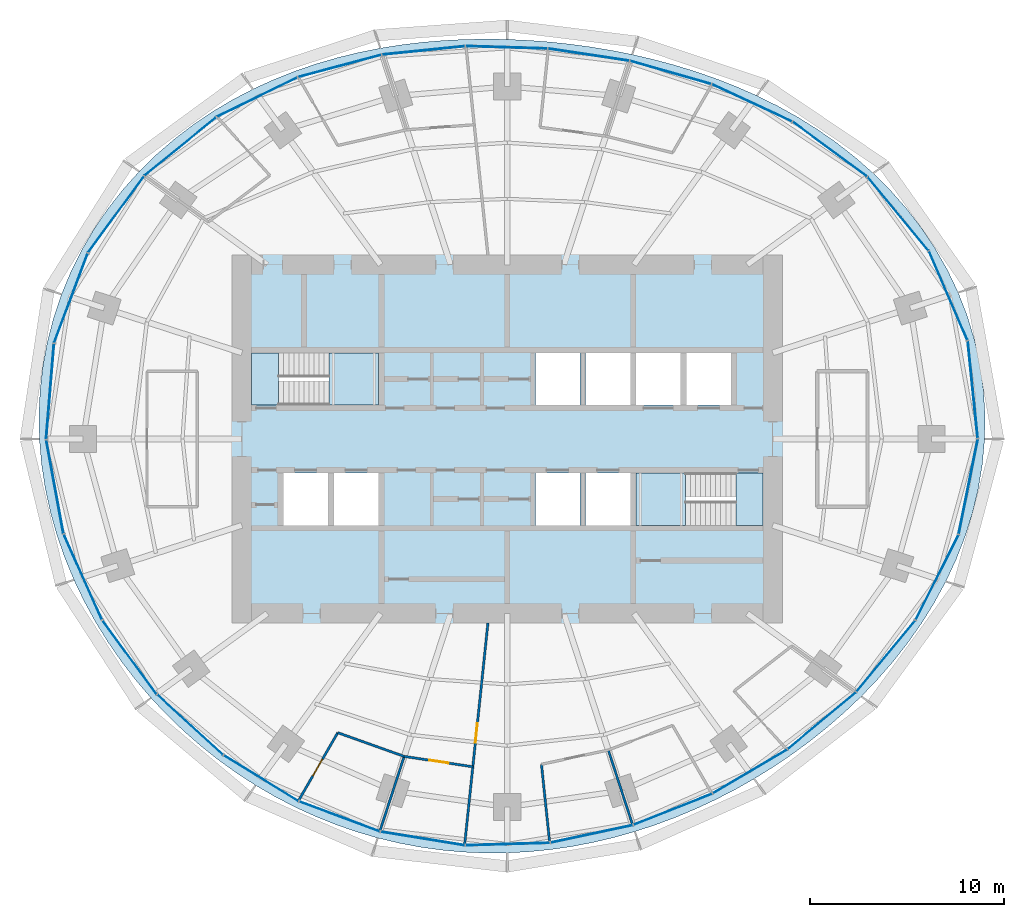
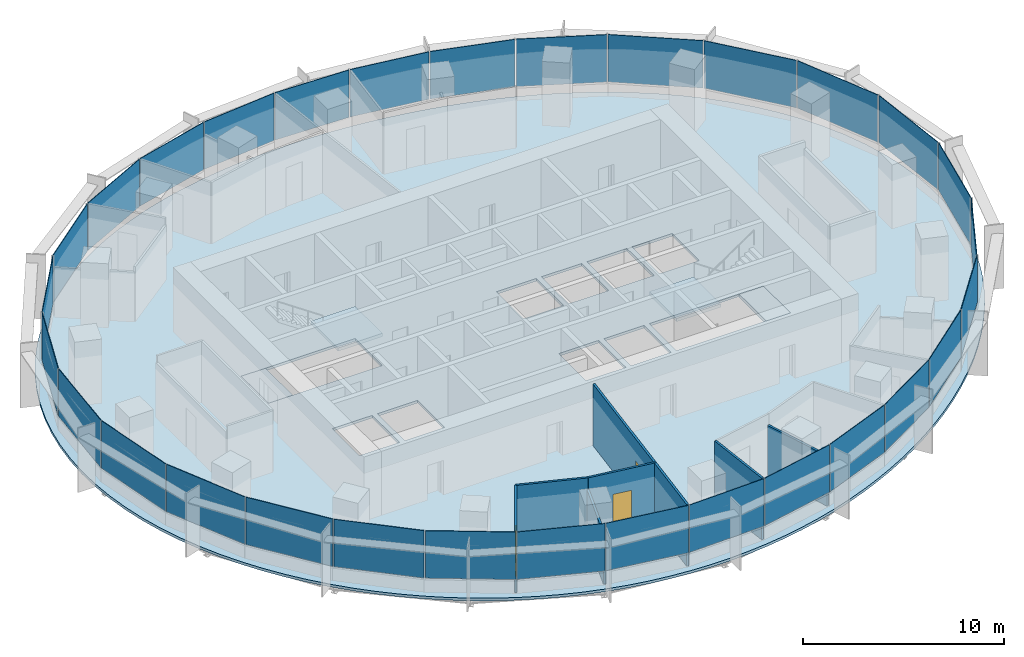
# One storey, part 9 of 15: 30 plates, 7 walls, 5 slabs, 3 doors, 3 openings, 8 elements without a shape of their own.
"""IFC4 building model written with IfcOpenShell, lengths in metres."""

from ifc_helpers import new_model, si_unit, direction, frame, frame_2d, origin, origin_2d, place, context, subcontext, project, spatial, polyline, rectangle, outline, extrude, material, layer, layer_set, type_object, element, fill, aggregate, save


model = new_model("IFC4")

# Units and contexts
model_context = context("Model", 3, precision=1e-05, world=origin(), true_north=direction((0.0, 1.0)))
body_context = subcontext(model_context, "Body", "Model", "MODEL_VIEW")
ifc_project = project(units=[si_unit("LENGTHUNIT", "METRE"), si_unit("AREAUNIT", "SQUARE_METRE"), si_unit("VOLUMEUNIT", "CUBIC_METRE"), si_unit("PLANEANGLEUNIT", "RADIAN"), si_unit("MASSUNIT", "GRAM", prefix="KILO")], contexts=[model_context])

# Site, building, storey
site_placement = place(None, origin())
site = spatial("IfcSite", under=ifc_project, at=site_placement, CompositionType="ELEMENT")
building_placement = place(site_placement, origin())
building = spatial("IfcBuilding", under=site, at=building_placement, Name="Marramba Exchange Tower", CompositionType="ELEMENT")
storey_placement = place(building_placement, frame((0.0, 0.0, 191.60009765625)))
storey = spatial("IfcBuildingStorey", under=building, at=storey_placement, Name="L46", CompositionType="ELEMENT", Elevation=191.60009765625)

# Slab
ifc_material_1 = material(Name="Concrete N40", Category="concrete")
ifc_layer_1 = layer(ifc_material_1, 0.159912109375)
ifc_layer_set_1 = layer_set([ifc_layer_1], Name="Composite floor slab 160")
slab_type_1 = type_object("IfcSlabType", Name="Composite floor slab 160", PredefinedType="FLOOR", material=ifc_layer_set_1)
slab_1_placement = place(storey_placement, frame((0.0, 0.0, -0.16015625)))
element("IfcSlab", 1, at=slab_1_placement, inside=storey, type_object=slab_type_1, Name="Floor slab L46", PredefinedType="FLOOR", context=body_context, shape_type="SweptSolid", body=[
    extrude(outline(polyline([(24.64404296875, 0.0), (24.661376953125, 1.29248046875), (24.580078125, 2.58349609375), (24.399658203125, 3.864501953125), (24.12109375, 5.127197265625), (23.7470703125, 6.363037109375), (23.281494140625, 7.564697265625), (22.72900390625, 8.724853515625), (22.095947265625, 9.837646484375), (21.388427734375, 10.89794921875), (20.614013671875, 11.901611328125), (19.780029296875, 12.845458984375), (18.894287109375, 13.7275390625), (17.964111328125, 14.547119140625), (16.996826171875, 15.303955078125), (15.9990234375, 15.9990234375), (14.977294921875, 16.634033203125), (13.936767578125, 17.21044921875), (12.882568359375, 17.7314453125), (11.819091796875, 18.19970703125), (10.749267578125, 18.6181640625), (9.67578125, 18.989990234375), (8.60107421875, 19.318115234375), (7.52587890625, 19.60546875), (6.451171875, 19.8544921875), (5.377197265625, 20.067626953125), (4.303466796875, 20.246337890625), (3.229736328125, 20.39208984375), (2.1552734375, 20.50537109375), (1.078857421875, 20.5869140625), (0.0, 20.63623046875), (-1.082275390625, 20.652587890625), (-2.168701171875, 20.634765625), (-3.259765625, 20.580810546875), (-4.35498046875, 20.4892578125), (-5.45458984375, 20.35693359375), (-6.557373046875, 20.181884765625), (-7.662353515625, 19.9609375), (-8.76708984375, 19.691162109375), (-9.869384765625, 19.369873046875), (-10.96630859375, 18.994384765625), (-12.05419921875, 18.561767578125), (-13.128662109375, 18.070068359375), (-14.185546875, 17.517578125), (-15.218994140625, 16.902587890625), (-16.22412109375, 16.22412109375), (-17.195068359375, 15.482421875), (-18.12548828125, 14.677734375), (-19.009521484375, 13.811279296875), (-19.841064453125, 12.885009765625), (-20.614013671875, 11.901611328125), (-21.32275390625, 10.864501953125), (-21.9619140625, 9.778076171875), (-22.52685546875, 8.647216796875), (-23.01318359375, 7.477294921875), (-23.417724609375, 6.274658203125), (-23.73779296875, 5.045654296875), (-23.971923828125, 3.796875), (-24.119384765625, 2.53515625), (-24.180419921875, 1.267333984375), (-24.156005859375, 0.0), (-24.04833984375, -1.26025390625), (-23.860107421875, -2.5078125), (-23.594482421875, -3.737060546875), (-23.25537109375, -4.943115234375), (-22.846923828125, -6.121826171875), (-22.373291015625, -7.26953125), (-21.8388671875, -8.38330078125), (-21.247802734375, -9.460205078125), (-20.604248046875, -10.49853515625), (-19.912109375, -11.496337890625), (-19.174560546875, -12.4521484375), (-18.395263671875, -13.364990234375), (-17.5771484375, -14.233642578125), (-16.72265625, -15.05712890625), (-15.834228515625, -15.834228515625), (-14.914794921875, -16.564453125), (-13.966064453125, -17.24658203125), (-12.990234375, -17.879638671875), (-11.98974609375, -18.46240234375), (-10.96630859375, -18.994384765625), (-9.922607421875, -19.47412109375), (-8.860595703125, -19.901123046875), (-7.78271484375, -20.2744140625), (-6.691162109375, -20.593505859375), (-5.5888671875, -20.858154296875), (-4.478271484375, -21.068115234375), (-3.361328125, -21.22314453125), (-2.2412109375, -21.32373046875), (-1.119873046875, -21.370361328125), (0.0, -21.36376953125), (1.116455078125, -21.3046875), (2.2275390625, -21.194580078125), (3.33154296875, -21.0341796875), (4.426513671875, -20.8251953125), (5.511474609375, -20.56884765625), (6.5849609375, -20.266357421875), (7.646240234375, -19.919189453125), (8.694580078125, -19.528076171875), (9.72900390625, -19.09423828125), (10.749267578125, -18.6181640625), (11.75439453125, -18.100341796875), (12.744140625, -17.541015625), (13.71728515625, -16.939697265625), (14.6728515625, -16.2958984375), (15.609130859375, -15.609130859375), (16.5244140625, -14.878662109375), (17.415771484375, -14.10302734375), (18.280029296875, -13.28125), (19.11376953125, -12.41259765625), (19.912109375, -11.496337890625), (20.669921875, -10.531982421875), (21.3818359375, -9.519775390625), (22.041259765625, -8.4609375), (22.641845703125, -7.356689453125), (23.176513671875, -6.210205078125), (23.638671875, -5.024658203125), (24.022216796875, -3.8046875), (24.32080078125, -2.55615234375), (24.529541015625, -1.28564453125), (24.64404296875, 0.0)]), holes=[polyline([(1.449951171875, 1.75), (3.75, 1.75), (3.75, 4.449951171875), (1.449951171875, 4.449951171875), (1.449951171875, 1.75)]), polyline([(4.050048828125, 1.75), (6.35009765625, 1.75), (6.35009765625, 4.449951171875), (4.050048828125, 4.449951171875), (4.050048828125, 1.75)]), polyline([(1.449951171875, -4.449951171875), (3.75, -4.449951171875), (3.75, -1.75), (1.449951171875, -1.75), (1.449951171875, -4.449951171875)]), polyline([(4.050048828125, -4.449951171875), (6.35009765625, -4.449951171875), (6.35009765625, -1.75), (4.050048828125, -1.75), (4.050048828125, -4.449951171875)]), polyline([(6.64990234375, 1.75), (8.949951171875, 1.75), (8.949951171875, 4.449951171875), (6.64990234375, 4.449951171875), (6.64990234375, 1.75)]), polyline([(-8.949951171875, -4.449951171875), (-6.64990234375, -4.449951171875), (-6.64990234375, -1.75), (-8.949951171875, -1.75), (-8.949951171875, -4.449951171875)]), polyline([(-11.550048828125, -4.449951171875), (-9.25, -4.449951171875), (-9.25, -1.75), (-11.550048828125, -1.75), (-11.550048828125, -4.449951171875)]), polyline([(9.25, 1.75), (11.550048828125, 1.75), (11.550048828125, 4.449951171875), (9.25, 4.449951171875), (9.25, 1.75)]), polyline([(-13.199951171875, 1.75), (-6.64990234375, 1.75), (-6.64990234375, 4.449951171875), (-13.199951171875, 4.449951171875), (-13.199951171875, 1.75)]), polyline([(6.64990234375, -4.449951171875), (13.199951171875, -4.449951171875), (13.199951171875, -1.75), (6.64990234375, -1.75), (6.64990234375, -4.449951171875)])]), origin(), (0.0, 0.0, 1.0), 0.16015625),
])

# Curtain wall, plates
ifc_material_2 = material(Name="Aluminium framing, bronze anodised", Category="aluminium")
curtain_wall_type = type_object("IfcCurtainWallType", Name="Office ribbon curtain wall", PredefinedType="USERDEFINED", material=ifc_material_2)
curtain_wall_1_placement = place(storey_placement, origin())
curtain_wall_1 = element("IfcCurtainWall", 2, at=curtain_wall_1_placement, inside=storey, type_object=curtain_wall_type, Name="Curtain wall CW4 L46 F01-F05", ObjectType="RIBBON CURTAIN WALL", PredefinedType="USERDEFINED")
ifc_material_3 = material(Name="Laminated double glazed unit 10.76 + 16 + 10.76, bronze tinted", Category="glass")
ifc_layer_2 = layer(ifc_material_3, 0.03759765625)
ifc_layer_set_2 = layer_set([ifc_layer_2], Name="Office ribbon curtain wall panel")
plate_type = type_object("IfcPlateType", Name="Office ribbon curtain wall panel", PredefinedType="CURTAIN_PANEL", material=ifc_layer_set_2)
plate_1_placement = place(storey_placement, frame((24.033203125, 2.556884765625, 0.85986328125), z_axis=(0.0, 0.0, 1.0), x_axis=(-0.101422472607, 0.994843446001, 0.0)))
plate_1 = element("IfcPlate", 3, at=plate_1_placement, type_object=plate_type, Name="CW4 vision panel", PredefinedType="CURTAIN_PANEL", context=body_context, shape_type="SweptSolid", body=[
    extrude(rectangle(XDim=5.0205078125, YDim=0.03759765625, at=origin_2d()), origin(), (0.0, 0.0, 1.0), 2.8798828125),
])
plate_2_placement = place(storey_placement, frame((22.765625, 7.40234375, 0.85986328125), z_axis=(0.0, 0.0, 1.0), x_axis=(-0.396193346946, 0.918167104527, 0.0)))
plate_2 = element("IfcPlate", 4, at=plate_2_placement, type_object=plate_type, Name="CW4 vision panel", PredefinedType="CURTAIN_PANEL", context=body_context, shape_type="SweptSolid", body=[
    extrude(rectangle(XDim=4.99462890625, YDim=0.03759765625, at=origin_2d()), origin(), (0.0, 0.0, 1.0), 2.8798828125),
])
plate_3_placement = place(storey_placement, frame((20.174560546875, 11.631591796875, 0.85986328125), z_axis=(0.0, 0.0, 1.0), x_axis=(-0.637350227411, 0.770574258342, 0.0)))
plate_3 = element("IfcPlate", 5, at=plate_3_placement, type_object=plate_type, Name="CW4 vision panel", PredefinedType="CURTAIN_PANEL", context=body_context, shape_type="SweptSolid", body=[
    extrude(rectangle(XDim=4.90576171875, YDim=0.03759765625, at=origin_2d()), origin(), (0.0, 0.0, 1.0), 2.8798828125),
])
plate_4_placement = place(storey_placement, frame((16.653076171875, 14.965576171875, 0.85986328125), z_axis=(0.0, 0.0, 1.0), x_axis=(-0.804877259395, 0.593441317494, 0.0)))
plate_4 = element("IfcPlate", 6, at=plate_4_placement, type_object=plate_type, Name="CW4 vision panel", PredefinedType="CURTAIN_PANEL", context=body_context, shape_type="SweptSolid", body=[
    extrude(rectangle(XDim=4.745849609375, YDim=0.03759765625, at=origin_2d()), origin(), (0.0, 0.0, 1.0), 2.8798828125),
])
plate_5_placement = place(storey_placement, frame((12.63134765625, 17.357177734375, 0.85986328125), z_axis=(0.0, 0.0, 1.0), x_axis=(-0.906533907301, 0.422133006189, 0.0)))
plate_5 = element("IfcPlate", 7, at=plate_5_placement, type_object=plate_type, Name="CW4 vision panel", PredefinedType="CURTAIN_PANEL", context=body_context, shape_type="SweptSolid", body=[
    extrude(rectangle(XDim=4.53857421875, YDim=0.03759765625, at=origin_2d()), origin(), (0.0, 0.0, 1.0), 2.8798828125),
])
aggregate(curtain_wall_1, [plate_1, plate_2, plate_3, plate_4, plate_5])

curtain_wall_2_placement = place(storey_placement, origin())
curtain_wall_2 = element("IfcCurtainWall", 8, at=curtain_wall_2_placement, inside=storey, type_object=curtain_wall_type, Name="Curtain wall CW4 L46 F06-F10", ObjectType="RIBBON CURTAIN WALL", PredefinedType="USERDEFINED")
plate_6_placement = place(storey_placement, frame((8.4296875, 18.926513671875, 0.85986328125), z_axis=(0.0, 0.0, 1.0), x_axis=(-0.961658954195, 0.274248164656, 0.0)))
plate_6 = element("IfcPlate", 9, at=plate_6_placement, type_object=plate_type, Name="CW4 vision panel", PredefinedType="CURTAIN_PANEL", context=body_context, shape_type="SweptSolid", body=[
    extrude(rectangle(XDim=4.33984375, YDim=0.03759765625, at=origin_2d()), origin(), (0.0, 0.0, 1.0), 2.8798828125),
])
plate_7_placement = place(storey_placement, frame((4.201171875, 19.843994140625, 0.85986328125), z_axis=(0.0, 0.0, 1.0), x_axis=(-0.988868065698, 0.148794988635, 0.0)))
plate_7 = element("IfcPlate", 10, at=plate_7_placement, type_object=plate_type, Name="CW4 vision panel", PredefinedType="CURTAIN_PANEL", context=body_context, shape_type="SweptSolid", body=[
    extrude(rectangle(XDim=4.2119140625, YDim=0.03759765625, at=origin_2d()), origin(), (0.0, 0.0, 1.0), 2.8798828125),
])
plate_8_placement = place(storey_placement, frame((-0.036865234375, 20.222900390625, 0.85986328125), z_axis=(0.0, 0.0, 1.0), x_axis=(-0.999538000143, 0.03039385249, 0.0)))
plate_8 = element("IfcPlate", 11, at=plate_8_placement, type_object=plate_type, Name="CW4 vision panel", PredefinedType="CURTAIN_PANEL", context=body_context, shape_type="SweptSolid", body=[
    extrude(rectangle(XDim=4.19287109375, YDim=0.03759765625, at=origin_2d()), origin(), (0.0, 0.0, 1.0), 2.8798828125),
])
plate_9_placement = place(storey_placement, frame((-4.320556640625, 20.064697265625, 0.85986328125), z_axis=(0.0, 0.0, 1.0), x_axis=(-0.994900357369, -0.100862673507, 0.0)))
plate_9 = element("IfcPlate", 12, at=plate_9_placement, type_object=plate_type, Name="CW4 vision panel", PredefinedType="CURTAIN_PANEL", context=body_context, shape_type="SweptSolid", body=[
    extrude(rectangle(XDim=4.279296875, YDim=0.03759765625, at=origin_2d()), origin(), (0.0, 0.0, 1.0), 2.8798828125),
])
plate_10_placement = place(storey_placement, frame((-8.6494140625, 19.262451171875, 0.85986328125), z_axis=(0.0, 0.0, 1.0), x_axis=(-0.966240653155, -0.257641223778, 0.0)))
plate_10 = element("IfcPlate", 13, at=plate_10_placement, type_object=plate_type, Name="CW4 vision panel", PredefinedType="CURTAIN_PANEL", context=body_context, shape_type="SweptSolid", body=[
    extrude(rectangle(XDim=4.433837890625, YDim=0.03759765625, at=origin_2d()), origin(), (0.0, 0.0, 1.0), 2.8798828125),
])
aggregate(curtain_wall_2, [plate_6, plate_7, plate_8, plate_9, plate_10])

curtain_wall_3_placement = place(storey_placement, origin())
curtain_wall_3 = element("IfcCurtainWall", 14, at=curtain_wall_3_placement, inside=storey, type_object=curtain_wall_type, Name="Curtain wall CW4 L46 F11-F15", ObjectType="RIBBON CURTAIN WALL", PredefinedType="USERDEFINED")
plate_11_placement = place(storey_placement, frame((-12.9150390625, 17.653564453125, 0.85986328125), z_axis=(0.0, 0.0, 1.0), x_axis=(-0.898500518805, -0.438972456661, 0.0)))
plate_11 = element("IfcPlate", 15, at=plate_11_placement, type_object=plate_type, Name="CW4 vision panel", PredefinedType="CURTAIN_PANEL", context=body_context, shape_type="SweptSolid", body=[
    extrude(rectangle(XDim=4.607177734375, YDim=0.03759765625, at=origin_2d()), origin(), (0.0, 0.0, 1.0), 2.8798828125),
])
plate_12_placement = place(storey_placement, frame((-16.87890625, 15.10498046875, 0.85986328125), z_axis=(0.0, 0.0, 1.0), x_axis=(-0.776432169145, -0.630200830464, 0.0)))
plate_12 = element("IfcPlate", 16, at=plate_12_placement, type_object=plate_type, Name="CW4 vision panel", PredefinedType="CURTAIN_PANEL", context=body_context, shape_type="SweptSolid", body=[
    extrude(rectangle(XDim=4.7587890625, YDim=0.03759765625, at=origin_2d()), origin(), (0.0, 0.0, 1.0), 2.8798828125),
])
plate_13_placement = place(storey_placement, frame((-20.2021484375, 11.596435546875, 0.85986328125), z_axis=(0.0, 0.0, 1.0), x_axis=(-0.591962922138, -0.805965197024, 0.0)))
plate_13 = element("IfcPlate", 17, at=plate_13_placement, type_object=plate_type, Name="CW4 vision panel", PredefinedType="CURTAIN_PANEL", context=body_context, shape_type="SweptSolid", body=[
    extrude(rectangle(XDim=4.865478515625, YDim=0.03759765625, at=origin_2d()), origin(), (0.0, 0.0, 1.0), 2.8798828125),
])
plate_14_placement = place(storey_placement, frame((-22.529296875, 7.276123046875, 0.85986328125), z_axis=(0.0, 0.0, 1.0), x_axis=(-0.351951515885, -0.936018231909, 0.0)))
plate_14 = element("IfcPlate", 18, at=plate_14_placement, type_object=plate_type, Name="CW4 vision panel", PredefinedType="CURTAIN_PANEL", context=body_context, shape_type="SweptSolid", body=[
    extrude(rectangle(XDim=4.921630859375, YDim=0.03759765625, at=origin_2d()), origin(), (0.0, 0.0, 1.0), 2.8798828125),
])
plate_15_placement = place(storey_placement, frame((-23.603271484375, 2.45654296875, 0.85986328125), z_axis=(0.0, 0.0, 1.0), x_axis=(-0.082280890264, -0.996609178714, 0.0)))
plate_15 = element("IfcPlate", 19, at=plate_15_placement, type_object=plate_type, Name="CW4 vision panel", PredefinedType="CURTAIN_PANEL", context=body_context, shape_type="SweptSolid", body=[
    extrude(rectangle(XDim=4.9296875, YDim=0.03759765625, at=origin_2d()), origin(), (0.0, 0.0, 1.0), 2.8798828125),
])
aggregate(curtain_wall_3, [plate_11, plate_12, plate_13, plate_14, plate_15])

curtain_wall_4_placement = place(storey_placement, origin())
curtain_wall_4 = element("IfcCurtainWall", 20, at=curtain_wall_4_placement, inside=storey, type_object=curtain_wall_type, Name="Curtain wall CW4 L46 F16-F20", ObjectType="RIBBON CURTAIN WALL", PredefinedType="USERDEFINED")
plate_16_placement = place(storey_placement, frame((-23.354248046875, -2.464599609375, 0.85986328125), z_axis=(0.0, 0.0, 1.0), x_axis=(0.180327438996, -0.983606636184, 0.0)))
plate_16 = element("IfcPlate", 21, at=plate_16_placement, type_object=plate_type, Name="CW4 vision panel", PredefinedType="CURTAIN_PANEL", context=body_context, shape_type="SweptSolid", body=[
    extrude(rectangle(XDim=4.8916015625, YDim=0.03759765625, at=origin_2d()), origin(), (0.0, 0.0, 1.0), 2.8798828125),
])
plate_17_placement = place(storey_placement, frame((-21.908447265625, -7.12158203125, 0.85986328125), z_axis=(0.0, 0.0, 1.0), x_axis=(0.407557580942, -0.913179510401, 0.0)))
plate_17 = element("IfcPlate", 22, at=plate_17_placement, type_object=plate_type, Name="CW4 vision panel", PredefinedType="CURTAIN_PANEL", context=body_context, shape_type="SweptSolid", body=[
    extrude(rectangle(XDim=4.810302734375, YDim=0.03759765625, at=origin_2d()), origin(), (0.0, 0.0, 1.0), 2.8798828125),
])
plate_18_placement = place(storey_placement, frame((-19.50244140625, -11.2626953125, 0.85986328125), z_axis=(0.0, 0.0, 1.0), x_axis=(0.591223103363, -0.806508054547, 0.0)))
plate_18 = element("IfcPlate", 23, at=plate_18_placement, type_object=plate_type, Name="CW4 vision panel", PredefinedType="CURTAIN_PANEL", context=body_context, shape_type="SweptSolid", body=[
    extrude(rectangle(XDim=4.703125, YDim=0.03759765625, at=origin_2d()), origin(), (0.0, 0.0, 1.0), 2.8798828125),
])
plate_19_placement = place(storey_placement, frame((-16.374267578125, -14.752197265625, 0.85986328125), z_axis=(0.0, 0.0, 1.0), x_axis=(0.737203264245, -0.67567103474, 0.0)))
plate_19 = element("IfcPlate", 24, at=plate_19_placement, type_object=plate_type, Name="CW4 vision panel", PredefinedType="CURTAIN_PANEL", context=body_context, shape_type="SweptSolid", body=[
    extrude(rectangle(XDim=4.594970703125, YDim=0.03759765625, at=origin_2d()), origin(), (0.0, 0.0, 1.0), 2.8798828125),
])
plate_20_placement = place(storey_placement, frame((-12.71044921875, -17.513427734375, 0.85986328125), z_axis=(0.0, 0.0, 1.0), x_axis=(0.85230101176, -0.52305160869, 0.0)))
plate_20 = element("IfcPlate", 25, at=plate_20_placement, type_object=plate_type, Name="CW4 vision panel", PredefinedType="CURTAIN_PANEL", context=body_context, shape_type="SweptSolid", body=[
    extrude(rectangle(XDim=4.503173828125, YDim=0.03759765625, at=origin_2d()), origin(), (0.0, 0.0, 1.0), 2.8798828125),
])
aggregate(curtain_wall_4, [plate_16, plate_17, plate_18, plate_19, plate_20])

curtain_wall_5_placement = place(storey_placement, origin())
curtain_wall_5 = element("IfcCurtainWall", 26, at=curtain_wall_5_placement, inside=storey, type_object=curtain_wall_type, Name="Curtain wall CW4 L46 F21-F25", ObjectType="RIBBON CURTAIN WALL", PredefinedType="USERDEFINED")
plate_21_placement = place(storey_placement, frame((-8.6591796875, -19.486572265625, 0.85986328125), z_axis=(0.0, 0.0, 1.0), x_axis=(0.936951583142, -0.349459197687, 0.0)))
plate_21 = element("IfcPlate", 27, at=plate_21_placement, type_object=plate_type, Name="CW4 vision panel", PredefinedType="CURTAIN_PANEL", context=body_context, shape_type="SweptSolid", body=[
    extrude(rectangle(XDim=4.431396484375, YDim=0.03759765625, at=origin_2d()), origin(), (0.0, 0.0, 1.0), 2.8798828125),
])
plate_22_placement = place(storey_placement, frame((-4.3642578125, -20.623046875, 0.85986328125), z_axis=(0.0, 0.0, 1.0), x_axis=(0.986930623159, -0.161145726194, 0.0)))
plate_22 = element("IfcPlate", 28, at=plate_22_placement, type_object=plate_type, Name="CW4 vision panel", PredefinedType="CURTAIN_PANEL", context=body_context, shape_type="SweptSolid", body=[
    extrude(rectangle(XDim=4.37646484375, YDim=0.03759765625, at=origin_2d()), origin(), (0.0, 0.0, 1.0), 2.8798828125),
])
plate_23_placement = place(storey_placement, frame((0.023193359375, -20.91015625, 0.85986328125), z_axis=(0.0, 0.0, 1.0), x_axis=(0.99956791915, 0.029393451762, 0.0)))
plate_23 = element("IfcPlate", 29, at=plate_23_placement, type_object=plate_type, Name="CW4 vision panel", PredefinedType="CURTAIN_PANEL", context=body_context, shape_type="SweptSolid", body=[
    extrude(rectangle(XDim=4.337646484375, YDim=0.03759765625, at=origin_2d()), origin(), (0.0, 0.0, 1.0), 2.8798828125),
])
plate_24_placement = place(storey_placement, frame((4.36328125, -20.3837890625, 0.85986328125), z_axis=(0.0, 0.0, 1.0), x_axis=(0.978058069607, 0.208332456608, 0.0)))
plate_24 = element("IfcPlate", 30, at=plate_24_placement, type_object=plate_type, Name="CW4 vision panel", PredefinedType="CURTAIN_PANEL", context=body_context, shape_type="SweptSolid", body=[
    extrude(rectangle(XDim=4.32177734375, YDim=0.03759765625, at=origin_2d()), origin(), (0.0, 0.0, 1.0), 2.8798828125),
])
plate_25_placement = place(storey_placement, frame((8.553466796875, -19.11328125, 0.85986328125), z_axis=(0.0, 0.0, 1.0), x_axis=(0.93007301435, 0.367374724195, 0.0)))
plate_25 = element("IfcPlate", 31, at=plate_25_placement, type_object=plate_type, Name="CW4 vision panel", PredefinedType="CURTAIN_PANEL", context=body_context, shape_type="SweptSolid", body=[
    extrude(rectangle(XDim=4.345458984375, YDim=0.03759765625, at=origin_2d()), origin(), (0.0, 0.0, 1.0), 2.8798828125),
])
aggregate(curtain_wall_5, [plate_21, plate_22, plate_23, plate_24, plate_25])

curtain_wall_6_placement = place(storey_placement, origin())
curtain_wall_6 = element("IfcCurtainWall", 32, at=curtain_wall_6_placement, inside=storey, type_object=curtain_wall_type, Name="Curtain wall CW4 L46 F26-F30", ObjectType="RIBBON CURTAIN WALL", PredefinedType="USERDEFINED")
plate_26_placement = place(storey_placement, frame((12.5322265625, -17.16015625, 0.85986328125), z_axis=(0.0, 0.0, 1.0), x_axis=(0.861350833897, 0.508010571686, 0.0)))
plate_26 = element("IfcPlate", 33, at=plate_26_placement, type_object=plate_type, Name="CW4 vision panel", PredefinedType="CURTAIN_PANEL", context=body_context, shape_type="SweptSolid", body=[
    extrude(rectangle(XDim=4.426513671875, YDim=0.03759765625, at=origin_2d()), origin(), (0.0, 0.0, 1.0), 2.8798828125),
])
plate_27_placement = place(storey_placement, frame((16.240966796875, -14.536376953125, 0.85986328125), z_axis=(0.0, 0.0, 1.0), x_axis=(0.768736798421, 0.639565270127, 0.0)))
plate_27 = element("IfcPlate", 34, at=plate_27_placement, type_object=plate_type, Name="CW4 vision panel", PredefinedType="CURTAIN_PANEL", context=body_context, shape_type="SweptSolid", body=[
    extrude(rectangle(XDim=4.568603515625, YDim=0.03759765625, at=origin_2d()), origin(), (0.0, 0.0, 1.0), 2.8798828125),
])
plate_28_placement = place(storey_placement, frame((19.548583984375, -11.203369140625, 0.85986328125), z_axis=(0.0, 0.0, 1.0), x_axis=(0.63814998673, 0.769912069289, 0.0)))
plate_28 = element("IfcPlate", 35, at=plate_28_placement, type_object=plate_type, Name="CW4 vision panel", PredefinedType="CURTAIN_PANEL", context=body_context, shape_type="SweptSolid", body=[
    extrude(rectangle(XDim=4.7431640625, YDim=0.03759765625, at=origin_2d()), origin(), (0.0, 0.0, 1.0), 2.8798828125),
])
plate_29_placement = place(storey_placement, frame((22.19287109375, -7.137939453125, 0.85986328125), z_axis=(0.0, 0.0, 1.0), x_axis=(0.450673083956, 0.892689067591, 0.0)))
plate_29 = element("IfcPlate", 36, at=plate_29_placement, type_object=plate_type, Name="CW4 vision panel", PredefinedType="CURTAIN_PANEL", context=body_context, shape_type="SweptSolid", body=[
    extrude(rectangle(XDim=4.897705078125, YDim=0.03759765625, at=origin_2d()), origin(), (0.0, 0.0, 1.0), 2.8798828125),
])
plate_30_placement = place(storey_placement, frame((23.801025390625, -2.446533203125, 0.85986328125), z_axis=(0.0, 0.0, 1.0), x_axis=(0.197495405316, 0.980303812539, 0.0)))
plate_30 = element("IfcPlate", 37, at=plate_30_placement, type_object=plate_type, Name="CW4 vision panel", PredefinedType="CURTAIN_PANEL", context=body_context, shape_type="SweptSolid", body=[
    extrude(rectangle(XDim=4.9912109375, YDim=0.03759765625, at=origin_2d()), origin(), (0.0, 0.0, 1.0), 2.8798828125),
])
aggregate(curtain_wall_6, [plate_26, plate_27, plate_28, plate_29, plate_30])

# Stair, slabs
ifc_material_4 = material(Name="Concrete N40 (40 MPa)", Category="concrete")
stair_type_1 = type_object("IfcStairType", Name="Exit stair ST1 3900 x 1250", PredefinedType="HALF_TURN_STAIR", material=ifc_material_4)
stair_1_placement = place(storey_placement, origin())
stair_1 = element("IfcStair", 38, at=stair_1_placement, inside=storey, type_object=stair_type_1, Name="Exit stair ST1 L46", PredefinedType="HALF_TURN_STAIR")
ifc_layer_3 = layer(ifc_material_4, 0.199951171875)
ifc_layer_set_3 = layer_set([ifc_layer_3], Name="Stair landing 200")
slab_type_2 = type_object("IfcSlabType", Name="Stair landing 200", PredefinedType="LANDING", material=ifc_layer_set_3)
slab_2_placement = place(storey_placement, frame((0.0, 0.0, -0.2001953125)))
slab_2 = element("IfcSlab", 39, at=slab_2_placement, type_object=slab_type_2, Name="ST1 landing 1", PredefinedType="LANDING", context=body_context, shape_type="SweptSolid", body=[
    extrude(outline(polyline([(-13.199951171875, 1.75), (-11.800048828125, 1.75), (-11.800048828125, 4.449951171875), (-13.199951171875, 4.449951171875), (-13.199951171875, 1.75)])), origin(), (0.0, 0.0, 1.0), 0.2001953125),
])
slab_3_placement = place(storey_placement, frame((0.0, 0.0, 1.75)))
slab_3 = element("IfcSlab", 40, at=slab_3_placement, type_object=slab_type_2, Name="ST1 landing 2", PredefinedType="LANDING", context=body_context, shape_type="SweptSolid", body=[
    extrude(outline(polyline([(-9.199951171875, 1.75), (-6.64990234375, 1.75), (-6.64990234375, 4.449951171875), (-9.199951171875, 4.449951171875), (-9.199951171875, 1.75)])), origin(), (0.0, 0.0, 1.0), 0.199951171875),
])
aggregate(stair_1, [slab_2, slab_3])

stair_type_2 = type_object("IfcStairType", Name="Exit stair ST2 3900 x 1250", PredefinedType="HALF_TURN_STAIR", material=ifc_material_4)
stair_2_placement = place(storey_placement, origin())
stair_2 = element("IfcStair", 41, at=stair_2_placement, inside=storey, type_object=stair_type_2, Name="Exit stair ST2 L46", PredefinedType="HALF_TURN_STAIR")
slab_4_placement = place(storey_placement, frame((0.0, 0.0, -0.2001953125)))
slab_4 = element("IfcSlab", 42, at=slab_4_placement, type_object=slab_type_2, Name="ST2 landing 1", PredefinedType="LANDING", context=body_context, shape_type="SweptSolid", body=[
    extrude(outline(polyline([(11.800048828125, -4.449951171875), (13.199951171875, -4.449951171875), (13.199951171875, -1.75), (11.800048828125, -1.75), (11.800048828125, -4.449951171875)])), origin(), (0.0, 0.0, 1.0), 0.2001953125),
])
slab_5_placement = place(storey_placement, frame((0.0, 0.0, 1.75)))
slab_5 = element("IfcSlab", 43, at=slab_5_placement, type_object=slab_type_2, Name="ST2 landing 2", PredefinedType="LANDING", context=body_context, shape_type="SweptSolid", body=[
    extrude(outline(polyline([(6.64990234375, -4.449951171875), (9.199951171875, -4.449951171875), (9.199951171875, -1.75), (6.64990234375, -1.75), (6.64990234375, -4.449951171875)])), origin(), (0.0, 0.0, 1.0), 0.199951171875),
])
aggregate(stair_2, [slab_4, slab_5])

# Wall, opening, door
ifc_material_5 = material(Name="Plasterboard on steel studs", Category="steel")
ifc_layer_4 = layer(ifc_material_5, 0.1201171875)
ifc_layer_set_4 = layer_set([ifc_layer_4], Name="Partition 120")
wall_type = type_object("IfcWallType", Name="Partition 120", PredefinedType="PARTITIONING", material=ifc_layer_set_4)
wall_1_placement = place(storey_placement, frame((-8.75146484375, -15.15771484375, 0.0), z_axis=(0.0, 0.0, 1.0), x_axis=(-0.49999894854, -0.866026010844, 0.0)))
wall_1 = element("IfcWall", 44, at=wall_1_placement, inside=storey, type_object=wall_type, Name="Partition L46 02", PredefinedType="PARTITIONING", context=body_context, shape_type="SweptSolid", body=[
    extrude(rectangle(XDim=4.0, YDim=0.1201171875, at=frame_2d((2.0, 0.0))), origin(), (0.0, 0.0, 1.0), 3.739990234375),
])
opening_1_placement = place(wall_1_placement, frame((1.576904296875, 0.0, 0.0)))
opening_1 = element("IfcOpeningElement", 45, at=opening_1_placement, cuts=wall_1, Name="Opening D9", PredefinedType="OPENING", context=body_context, shape_type="SweptSolid", body=[
    extrude(rectangle(XDim=1.0, YDim=2.39990234375, at=frame_2d((0.5, 1.199951171875))), frame((0.0, 0.070068359375, 0.0), z_axis=(0.0, -1.0, 0.0), x_axis=(1.0, 0.0, 0.0)), (0.0, 0.0, 1.0), 0.14013671875),
])
ifc_material_6 = material(Name="Timber door", Category="wood")
door_type = type_object("IfcDoorType", Name="Room door 1000x2400", OperationType="SINGLE_SWING_LEFT", PredefinedType="DOOR", material=ifc_material_6)
door_1_placement = place(opening_1_placement, origin())
door_1 = element("IfcDoor", 46, at=door_1_placement, inside=storey, type_object=door_type, Name="D9 Office 6 L46", OperationType="SINGLE_SWING_RIGHT", OverallHeight=2.39990234375, OverallWidth=1.0, PredefinedType="DOOR", context=body_context, shape_type="SweptSolid", body=[
    extrude(rectangle(XDim=1.0, YDim=2.39990234375, at=frame_2d((0.5, 1.199951171875))), frame((0.0, 0.02490234375, 0.0), z_axis=(0.0, -1.0, 0.0), x_axis=(1.0, 0.0, 0.0)), (0.0, 0.0, 1.0), 0.050048828125),
])
fill(opening_1, door_1)

# Walls
wall_2_placement = place(storey_placement, frame((-5.322265625, -16.38037109375, 0.0), z_axis=(0.0, 0.0, 1.0), x_axis=(-0.94192080639, 0.335835070369, 0.0)))
element("IfcWall", 47, at=wall_2_placement, inside=storey, type_object=wall_type, Name="Partition L46 03", PredefinedType="PARTITIONING", context=body_context, shape_type="SweptSolid", body=[
    extrude(rectangle(XDim=3.640625, YDim=0.1201171875, at=frame_2d((1.8203125, 0.0))), origin(), (0.0, 0.0, 1.0), 3.739990234375),
])
wall_3_placement = place(storey_placement, frame((-5.322265625, -16.38037109375, 0.0), z_axis=(0.0, 0.0, 1.0), x_axis=(-0.3090046493, -0.951060527364, 0.0)))
element("IfcWall", 48, at=wall_3_placement, inside=storey, type_object=wall_type, Name="Partition L46 04", PredefinedType="PARTITIONING", context=body_context, shape_type="SweptSolid", body=[
    extrude(rectangle(XDim=4.000244140625, YDim=0.1201171875, at=frame_2d((2.0, 0.0))), origin(), (0.0, 0.0, 1.0), 3.039794921875),
])

# Wall, opening, door
wall_4_placement = place(storey_placement, frame((-1.7783203125, -16.91796875, 0.0), z_axis=(0.0, 0.0, 1.0), x_axis=(-0.988689198666, 0.149978893322, 0.0)))
wall_4 = element("IfcWall", 49, at=wall_4_placement, inside=storey, type_object=wall_type, Name="Partition L46 05", PredefinedType="PARTITIONING", context=body_context, shape_type="SweptSolid", body=[
    extrude(rectangle(XDim=3.58447265625, YDim=0.1201171875, at=frame_2d((1.792236328125, 0.0))), origin(), (0.0, 0.0, 1.0), 3.739990234375),
])
opening_2_placement = place(wall_4_placement, frame((1.26708984375, 0.0, 0.0)))
opening_2 = element("IfcOpeningElement", 50, at=opening_2_placement, cuts=wall_4, Name="Opening D9", PredefinedType="OPENING", context=body_context, shape_type="SweptSolid", body=[
    extrude(rectangle(XDim=1.0, YDim=2.39990234375, at=frame_2d((0.5, 1.199951171875))), frame((0.0, 0.070068359375, 0.0), z_axis=(0.0, -1.0, 0.0), x_axis=(1.0, 0.0, 0.0)), (0.0, 0.0, 1.0), 0.14013671875),
])
door_2_placement = place(opening_2_placement, origin())
door_2 = element("IfcDoor", 51, at=door_2_placement, inside=storey, type_object=door_type, Name="D9 Office 7 L46", OperationType="SINGLE_SWING_LEFT", OverallHeight=2.39990234375, OverallWidth=1.0, PredefinedType="DOOR", context=body_context, shape_type="SweptSolid", body=[
    extrude(rectangle(XDim=1.0, YDim=2.39990234375, at=frame_2d((0.5, 1.199951171875))), frame((0.0, 0.02490234375, 0.0), z_axis=(0.0, -1.0, 0.0), x_axis=(1.0, 0.0, 0.0)), (0.0, 0.0, 1.0), 0.050048828125),
])
fill(opening_2, door_2)

wall_5_placement = place(storey_placement, frame((-2.1962890625, -20.89599609375, 0.0), z_axis=(0.0, 0.0, 1.0), x_axis=(0.104527293836, 0.99452201828, 0.0)))
wall_5 = element("IfcWall", 52, at=wall_5_placement, inside=storey, type_object=wall_type, Name="Partition L46 06", PredefinedType="PARTITIONING", context=body_context, shape_type="SweptSolid", body=[
    extrude(rectangle(XDim=11.458740234375, YDim=0.1201171875, at=frame_2d((5.7294921875, 0.0))), origin(), (0.0, 0.0, 1.0), 3.739990234375),
])
opening_3_placement = place(wall_5_placement, frame((5.25390625, 0.0, 0.0)))
opening_3 = element("IfcOpeningElement", 53, at=opening_3_placement, cuts=wall_5, Name="Opening D9", PredefinedType="OPENING", context=body_context, shape_type="SweptSolid", body=[
    extrude(rectangle(XDim=1.0, YDim=2.39990234375, at=frame_2d((0.5, 1.199951171875))), frame((0.0, 0.070068359375, 0.0), z_axis=(0.0, -1.0, 0.0), x_axis=(1.0, 0.0, 0.0)), (0.0, 0.0, 1.0), 0.14013671875),
])
door_3_placement = place(opening_3_placement, origin())
door_3 = element("IfcDoor", 54, at=door_3_placement, inside=storey, type_object=door_type, Name="D9 Private Banking Office L46", OperationType="SINGLE_SWING_LEFT", OverallHeight=2.39990234375, OverallWidth=1.0, PredefinedType="DOOR", context=body_context, shape_type="SweptSolid", body=[
    extrude(rectangle(XDim=1.0, YDim=2.39990234375, at=frame_2d((0.5, 1.199951171875))), frame((0.0, 0.02490234375, 0.0), z_axis=(0.0, -1.0, 0.0), x_axis=(1.0, 0.0, 0.0)), (0.0, 0.0, 1.0), 0.050048828125),
])
fill(opening_3, door_3)

# Walls
wall_6_placement = place(storey_placement, frame((1.7646484375, -16.788818359375, 0.0), z_axis=(0.0, 0.0, 1.0), x_axis=(0.104494148666, -0.99452550138, 0.0)))
element("IfcWall", 55, at=wall_6_placement, inside=storey, type_object=wall_type, Name="Partition L46 07", PredefinedType="PARTITIONING", context=body_context, shape_type="SweptSolid", body=[
    extrude(rectangle(XDim=4.0, YDim=0.1201171875, at=frame_2d((2.0, 0.0))), origin(), (0.0, 0.0, 1.0), 3.739990234375),
])
wall_7_placement = place(storey_placement, frame((5.216064453125, -16.05322265625, 0.0), z_axis=(0.0, 0.0, 1.0), x_axis=(0.309022586479, -0.951054699292, 0.0)))
element("IfcWall", 56, at=wall_7_placement, inside=storey, type_object=wall_type, Name="Partition L46 09", PredefinedType="PARTITIONING", context=body_context, shape_type="SweptSolid", body=[
    extrude(rectangle(XDim=4.0, YDim=0.1201171875, at=frame_2d((2.0, 0.0))), origin(), (0.0, 0.0, 1.0), 3.039794921875),
])

save(model, "model.ifc")
